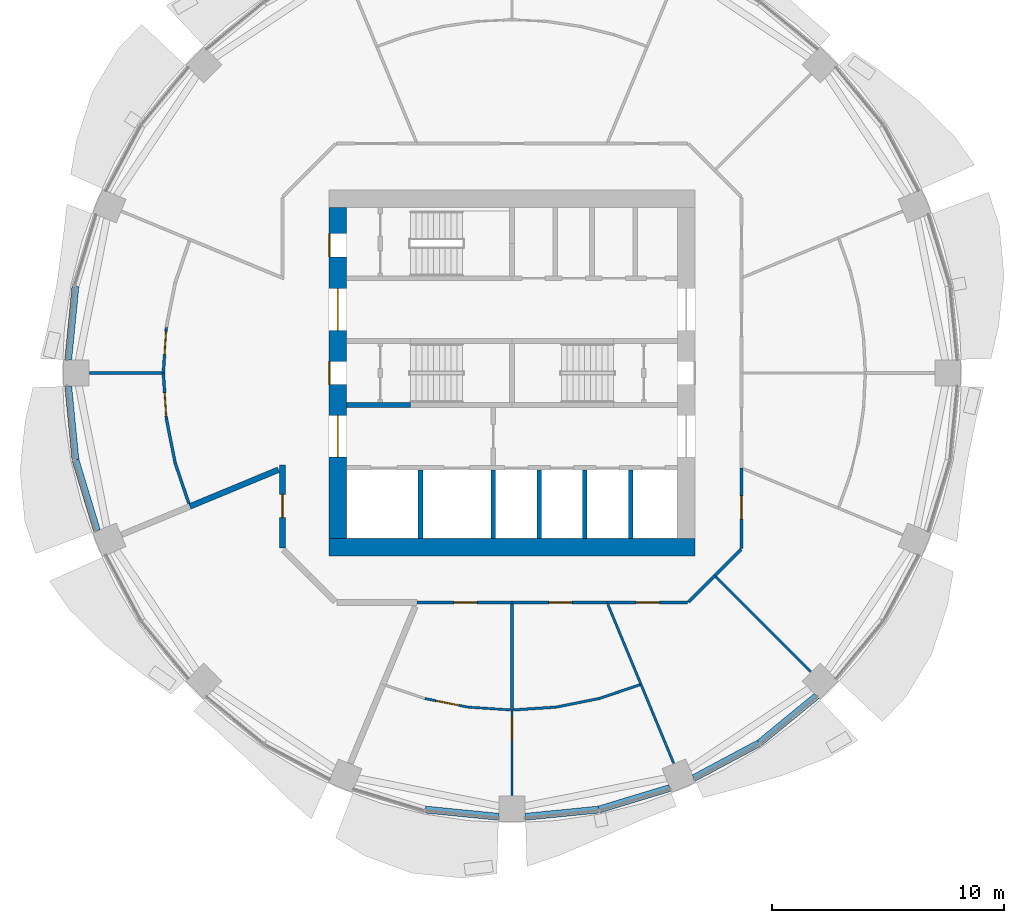
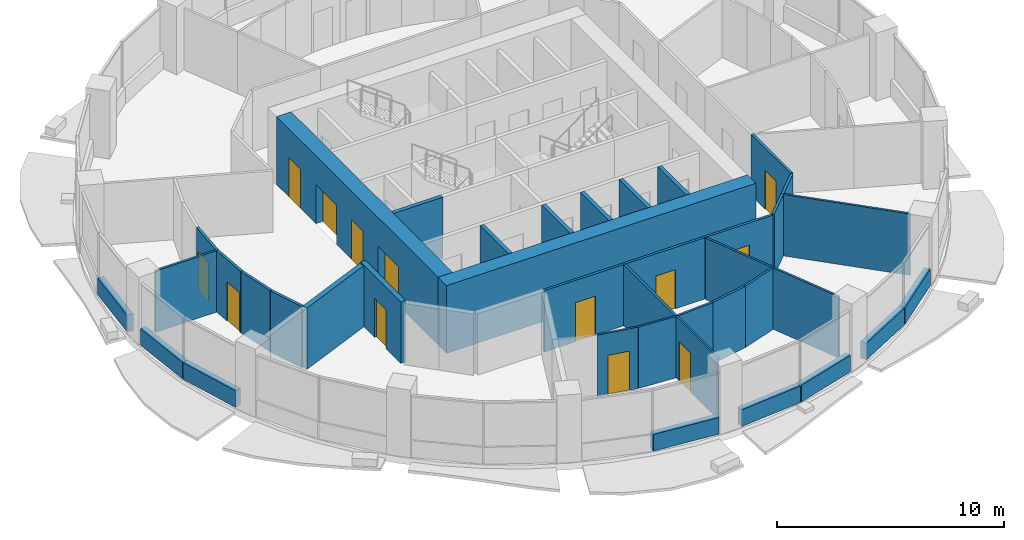
# One storey, part 8 of 15: 39 walls, 13 doors, 13 openings.
"""IFC4 building model written with IfcOpenShell, lengths in metres."""

import ifcopenshell
import ifcopenshell.guid

model = None  # the IFC model being written
_history = None  # IfcOwnerHistory: only IFC2X3 demands one
_inside = {}  # id of a spatial element -> (the spatial element, [elements in it])
_under = {}  # id of a project, library or spatial element -> (it, [spatial elements below it])
_declared = {}  # id of a project -> (the project, [libraries it declares])
_typed = {}  # id of a type object -> (the type object, [elements of that type])
_made_of = {}  # id of a material, layer set ... -> (it, [elements and type objects made of it])


def new_model(schema):
    """Start an empty IFC model of exactly this schema.

    Asked for "IFC4X3", IfcOpenShell would pick the latest addendum, in which some entities
    have other attributes; the version numbers below select the first issue.
    IFC2X3 requires an IfcOwnerHistory on every rooted entity: one is made here for all.
    """
    global model, _history
    if schema == "IFC4X3":
        model = ifcopenshell.file(schema_version=(4, 3, 0, 0))
    else:
        model = ifcopenshell.file(schema=schema)
    _inside.clear()
    _under.clear()
    _declared.clear()
    _typed.clear()
    _made_of.clear()
    _history = None
    if model.schema == "IFC2X3":
        org = make("IfcOrganization", Name="unknown")
        user = make(
            "IfcPersonAndOrganization",
            ThePerson=make("IfcPerson", FamilyName="unknown"),
            TheOrganization=org,
        )
        app = make(
            "IfcApplication",
            ApplicationDeveloper=org,
            Version="unknown",
            ApplicationFullName="unknown",
            ApplicationIdentifier="unknown",
        )
        _history = make(
            "IfcOwnerHistory",
            OwningUser=user,
            OwningApplication=app,
            ChangeAction="ADDED",
            CreationDate=0,
        )
    return model


def make(cls, **values):
    """One entity of the class cls with the attributes given. An attribute that is None is left unset."""
    return model.create_entity(
        cls, **{name: value for name, value in values.items() if value is not None}
    )


def rooted(cls, **values):
    """An entity with a GlobalId (a new one), such as an element, a storey or a relation."""
    return make(cls, GlobalId=ifcopenshell.guid.new(), OwnerHistory=_history, **values)


def si_unit(unit_type, name, prefix=None):
    """IfcSIUnit, for example si_unit("LENGTHUNIT", "METRE", prefix="MILLI")."""
    return make("IfcSIUnit", UnitType=unit_type, Prefix=prefix, Name=name)


def assignment(units):
    """IfcUnitAssignment: the units of a project."""
    return None if units is None else make("IfcUnitAssignment", Units=units)


def point(xyz):
    """IfcCartesianPoint."""
    return None if xyz is None else make("IfcCartesianPoint", Coordinates=xyz)


def direction(xyz):
    """IfcDirection."""
    return None if xyz is None else make("IfcDirection", DirectionRatios=xyz)


def frame(location, z_axis=None, x_axis=None):
    """IfcAxis2Placement3D, a coordinate frame: its origin and axes. An axis left out is left unset."""
    return make(
        "IfcAxis2Placement3D",
        Location=point(location),
        Axis=direction(z_axis),
        RefDirection=direction(x_axis),
    )


def frame_2d(location, x_axis=None):
    """IfcAxis2Placement2D, a coordinate frame in the plane: its origin and x axis."""
    return make(
        "IfcAxis2Placement2D", Location=point(location), RefDirection=direction(x_axis)
    )


def origin():
    """The frame at (0, 0, 0) with its axes left unset."""
    return frame((0.0, 0.0, 0.0))


def place(relative_to, where):
    """IfcLocalPlacement: puts the frame where relative to a parent placement (None: the world)."""
    return make(
        "IfcLocalPlacement", PlacementRelTo=relative_to, RelativePlacement=where
    )


def context(
    kind, dimensions, precision=None, world=None, true_north=None, identifier=None
):
    """IfcGeometricRepresentationContext, for example the 3D "Model" context."""
    return make(
        "IfcGeometricRepresentationContext",
        ContextIdentifier=identifier,
        ContextType=kind,
        CoordinateSpaceDimension=dimensions,
        Precision=precision,
        WorldCoordinateSystem=world,
        TrueNorth=true_north,
    )


def subcontext(parent, identifier, kind, view, scale=None):
    """IfcGeometricRepresentationSubContext, for example "Body" below "Model"."""
    return make(
        "IfcGeometricRepresentationSubContext",
        ContextIdentifier=identifier,
        ContextType=kind,
        ParentContext=parent,
        TargetScale=scale,
        TargetView=view,
    )


def project(units=None, contexts=None):
    """IfcProject with its units and contexts."""
    return rooted(
        "IfcProject",
        Name="project",
        RepresentationContexts=contexts,
        UnitsInContext=assignment(units),
    )


def spatial(cls, under=None, at=None, **own):
    """A site, building, storey or space (cls), placed at a placement, below another one or the project."""
    s = rooted(cls, ObjectPlacement=at, **own)
    if under is not None:
        _under.setdefault(under.id(), (under, []))[1].append(s)
    return s


def profile(cls, at=None, kind="AREA", **sizes):
    """A parametric profile (cls). Its sizes go by their IFC names, for example OverallWidth=200.0."""
    return make(cls, ProfileType=kind, Position=at, **sizes)


def rectangle(**sizes):
    """IfcRectangleProfileDef."""
    return profile("IfcRectangleProfileDef", **sizes)


def extrude(swept, where, along, depth):
    """IfcExtrudedAreaSolid: the profile swept, set in the frame where, extruded along a direction by depth."""
    return make(
        "IfcExtrudedAreaSolid",
        SweptArea=swept,
        Position=where,
        ExtrudedDirection=direction(along),
        Depth=depth,
    )


def shape(context_of_items, identifier, shape_type, items):
    """IfcShapeRepresentation: the items that make up one representation, for example the "Body"."""
    return make(
        "IfcShapeRepresentation",
        ContextOfItems=context_of_items,
        RepresentationIdentifier=identifier,
        RepresentationType=shape_type,
        Items=items,
    )


def material(Name=None, Category=None):
    """IfcMaterial."""
    return make("IfcMaterial", Name=Name, Category=Category)


def layer(
    of_material, thickness, ventilated=None, Name=None, Category=None, Priority=None
):
    """IfcMaterialLayer: one layer of a wall or slab, of a material (None: an air gap)."""
    return make(
        "IfcMaterialLayer",
        Material=of_material,
        LayerThickness=thickness,
        IsVentilated=ventilated,
        Name=Name,
        Category=Category,
        Priority=Priority,
    )


def layer_set(layers, Name=None):
    """IfcMaterialLayerSet."""
    return make("IfcMaterialLayerSet", MaterialLayers=layers, LayerSetName=Name)


def made_of(thing, what):
    """Note that an element or type object is made of a material, layer set ...; save() writes the relation."""
    if what is not None:
        _made_of.setdefault(what.id(), (what, []))[1].append(thing)
    return thing


def type_object(cls, material=None, **own):
    """A type object (cls), such as IfcWallType, which elements share."""
    return made_of(rooted(cls, **own), material)


def element(
    cls,
    number,
    at=None,
    inside=None,
    cuts=None,
    type_object=None,
    material=None,
    context=None,
    identifier="Body",
    shape_type=None,
    held_by="IfcProductDefinitionShape",
    body=None,
    shapes=None,
    **own,
):
    """One element of the class cls, such as IfcWall. Its Tag is "e" and its number.

    at: its placement. inside: the storey or other place that contains it. cuts: it is an
    opening in that element (IfcRelVoidsElement). A single representation is given by context,
    identifier, shape_type and body (its items); several are given by shapes. held_by: the class
    of the entity that holds the representations. save() writes the other relations.
    """
    e = rooted(cls, Tag="e%d" % number, ObjectPlacement=at, **own)
    if body is not None:
        shapes = [shape(context, identifier, shape_type, body)]
    if shapes is not None:
        e.Representation = make(held_by, Representations=shapes)
    if inside is not None:
        _inside.setdefault(inside.id(), (inside, []))[1].append(e)
    if cuts is not None:
        rooted(
            "IfcRelVoidsElement", RelatingBuildingElement=cuts, RelatedOpeningElement=e
        )
    if type_object is not None:
        _typed.setdefault(type_object.id(), (type_object, []))[1].append(e)
    return made_of(e, material)


def fill(opening, filler):
    """IfcRelFillsElement: the door or window that sits in an opening."""
    return rooted(
        "IfcRelFillsElement",
        RelatingOpeningElement=opening,
        RelatedBuildingElement=filler,
    )


def aggregate(whole, parts):
    """IfcRelAggregates: a whole, such as a stair, and the parts it consists of."""
    return rooted("IfcRelAggregates", RelatingObject=whole, RelatedObjects=parts)


def save(model, path):
    """Write the relations noted so far, then the file.

    IfcRelAggregates (storeys below a building ...), IfcRelContainedInSpatialStructure (elements
    in a storey), IfcRelDefinesByType, IfcRelAssociatesMaterial and IfcRelDeclares: one each for
    every whole, place, type object, material and project.
    """
    for whole, parts in _under.values():
        aggregate(whole, parts)
    for where, things in _inside.values():
        rooted(
            "IfcRelContainedInSpatialStructure",
            RelatedElements=things,
            RelatingStructure=where,
        )
    for kind, things in _typed.values():
        rooted("IfcRelDefinesByType", RelatedObjects=things, RelatingType=kind)
    for what, things in _made_of.values():
        rooted("IfcRelAssociatesMaterial", RelatedObjects=things, RelatingMaterial=what)
    for by, libraries in _declared.values():
        rooted("IfcRelDeclares", RelatingContext=by, RelatedDefinitions=libraries)
    model.write(path)


model = new_model("IFC4")

# Units and contexts
model_context = context("Model", 3, precision=1e-05, world=origin(), true_north=direction((0.0, 1.0)))
body_context = subcontext(model_context, "Body", "Model", "MODEL_VIEW")
ifc_project = project(units=[si_unit("LENGTHUNIT", "METRE"), si_unit("AREAUNIT", "SQUARE_METRE"), si_unit("VOLUMEUNIT", "CUBIC_METRE"), si_unit("PLANEANGLEUNIT", "RADIAN"), si_unit("MASSUNIT", "GRAM", prefix="KILO")], contexts=[model_context])

# Site, building, storey
site_placement = place(None, origin())
site = spatial("IfcSite", under=ifc_project, at=site_placement, CompositionType="ELEMENT")
building_placement = place(site_placement, origin())
building = spatial("IfcBuilding", under=site, at=building_placement, Name="Polderwave Tower", CompositionType="ELEMENT")
storey_placement = place(building_placement, frame((0.0, 0.0, 87.35009765625)))
storey = spatial("IfcBuildingStorey", under=building, at=storey_placement, Name="L22", CompositionType="ELEMENT", Elevation=87.35009765625)

# Wall
ifc_material_1 = material(Name="Concrete C70/85", Category="concrete")
ifc_layer_1 = layer(ifc_material_1, 0.75)
ifc_layer_set_1 = layer_set([ifc_layer_1], Name="CORE WALL 750 C70/85")
wall_type_1 = type_object("IfcWallType", Name="CORE WALL 750 C70/85", PredefinedType="SHEAR", material=ifc_layer_set_1)
wall_1_placement = place(storey_placement, frame((-7.8740234375, -7.4990234375, 0.0), z_axis=(0.0, 0.0, 1.0), x_axis=(1.0, 0.0, 0.0)))
element("IfcWall", 1, at=wall_1_placement, inside=storey, type_object=wall_type_1, Name="ST-CORE-L22-S", PredefinedType="SHEAR", context=body_context, shape_type="SweptSolid", body=[
    extrude(rectangle(XDim=15.748046875, YDim=0.75, at=frame_2d((7.8740234375, 0.0))), origin(), (0.0, 0.0, 1.0), 3.64990234375),
])

# Wall, openings, doors
wall_2_placement = place(storey_placement, frame((-7.4990234375, -7.1240234375, 0.0), z_axis=(0.0, 0.0, 1.0), x_axis=(0.0, 1.0, 0.0)))
wall_2 = element("IfcWall", 2, at=wall_2_placement, inside=storey, type_object=wall_type_1, Name="ST-CORE-L22-W", PredefinedType="SHEAR", context=body_context, shape_type="SweptSolid", body=[
    extrude(rectangle(XDim=14.248046875, YDim=0.75, at=frame_2d((7.1240234375, 0.0))), origin(), (0.0, 0.0, 1.0), 3.64990234375),
])
opening_1_placement = place(wall_2_placement, frame((6.6240234375, 0.0, 0.0)))
opening_1 = element("IfcOpeningElement", 3, at=opening_1_placement, cuts=wall_2, Name="Opening L22-D18", PredefinedType="OPENING", context=body_context, shape_type="SweptSolid", body=[
    extrude(rectangle(XDim=1.0, YDim=2.10009765625, at=frame_2d((0.5, 1.050048828125))), frame((0.0, 0.385009765625, 0.0), z_axis=(0.0, -1.0, 0.0), x_axis=(1.0, 0.0, 0.0)), (0.0, 0.0, 1.0), 0.77001953125),
])
opening_2_placement = place(wall_2_placement, frame((3.49951171875, 0.0, 0.0)))
opening_2 = element("IfcOpeningElement", 4, at=opening_2_placement, cuts=wall_2, Name="Opening L22-D19", PredefinedType="OPENING", context=body_context, shape_type="SweptSolid", body=[
    extrude(rectangle(XDim=1.800048828125, YDim=2.10009765625, at=frame_2d((0.89990234375, 1.050048828125))), frame((0.0, 0.385009765625, 0.0), z_axis=(0.0, -1.0, 0.0), x_axis=(1.0, 0.0, 0.0)), (0.0, 0.0, 1.0), 0.77001953125),
])
opening_3_placement = place(wall_2_placement, frame((8.948486328125, 0.0, 0.0)))
opening_3 = element("IfcOpeningElement", 5, at=opening_3_placement, cuts=wall_2, Name="Opening L22-D20", PredefinedType="OPENING", context=body_context, shape_type="SweptSolid", body=[
    extrude(rectangle(XDim=1.800048828125, YDim=2.10009765625, at=frame_2d((0.89990234375, 1.050048828125))), frame((0.0, 0.385009765625, 0.0), z_axis=(0.0, -1.0, 0.0), x_axis=(1.0, 0.0, 0.0)), (0.0, 0.0, 1.0), 0.77001953125),
])
opening_4_placement = place(wall_2_placement, frame((12.1240234375, 0.0, 0.0)))
opening_4 = element("IfcOpeningElement", 6, at=opening_4_placement, cuts=wall_2, Name="Opening L22-D21", PredefinedType="OPENING", context=body_context, shape_type="SweptSolid", body=[
    extrude(rectangle(XDim=1.0, YDim=2.10009765625, at=frame_2d((0.5, 1.050048828125))), frame((0.0, 0.385009765625, 0.0), z_axis=(0.0, -1.0, 0.0), x_axis=(1.0, 0.0, 0.0)), (0.0, 0.0, 1.0), 0.77001953125),
])
ifc_material_2 = material(Name="Steel fire door", Category="steel")
door_type_1 = type_object("IfcDoorType", Name="Lobby entry door pair 1800", OperationType="DOUBLE_DOOR_SINGLE_SWING", PredefinedType="DOOR", material=ifc_material_2)
door_1_placement = place(opening_2_placement, origin())
door_1 = element("IfcDoor", 7, at=door_1_placement, inside=storey, type_object=door_type_1, Name="Fire-fighting lobby entry door", OperationType="DOUBLE_DOOR_SINGLE_SWING", OverallHeight=2.10009765625, OverallWidth=1.800048828125, PredefinedType="DOOR", context=body_context, shape_type="SweptSolid", body=[
    extrude(rectangle(XDim=1.800048828125, YDim=2.10009765625, at=frame_2d((0.89990234375, 1.050048828125))), frame((0.0, 0.02490234375, 0.0), z_axis=(0.0, -1.0, 0.0), x_axis=(1.0, 0.0, 0.0)), (0.0, 0.0, 1.0), 0.050048828125),
])
fill(opening_2, door_1)
door_2_placement = place(opening_3_placement, origin())
door_2 = element("IfcDoor", 8, at=door_2_placement, inside=storey, type_object=door_type_1, Name="North lobby entry door", OperationType="DOUBLE_DOOR_SINGLE_SWING", OverallHeight=2.10009765625, OverallWidth=1.800048828125, PredefinedType="DOOR", context=body_context, shape_type="SweptSolid", body=[
    extrude(rectangle(XDim=1.800048828125, YDim=2.10009765625, at=frame_2d((0.89990234375, 1.050048828125))), frame((0.0, 0.02490234375, 0.0), z_axis=(0.0, -1.0, 0.0), x_axis=(1.0, 0.0, 0.0)), (0.0, 0.0, 1.0), 0.050048828125),
])
fill(opening_3, door_2)
door_type_2 = type_object("IfcDoorType", Name="Stair door 1000", OperationType="NOTDEFINED", PredefinedType="DOOR", material=ifc_material_2)
door_3_placement = place(opening_1_placement, origin())
door_3 = element("IfcDoor", 9, at=door_3_placement, inside=storey, type_object=door_type_2, Name="Stair A entry door", OperationType="SINGLE_SWING_RIGHT", OverallHeight=2.10009765625, OverallWidth=1.0, PredefinedType="DOOR", context=body_context, shape_type="SweptSolid", body=[
    extrude(rectangle(XDim=1.0, YDim=2.10009765625, at=frame_2d((0.5, 1.050048828125))), frame((0.0, 0.375, 0.0), z_axis=(0.0, -1.0, 0.0), x_axis=(1.0, 0.0, 0.0)), (0.0, 0.0, 1.0), 0.050048828125),
])
fill(opening_1, door_3)
door_4_placement = place(opening_4_placement, origin())
door_4 = element("IfcDoor", 10, at=door_4_placement, inside=storey, type_object=door_type_2, Name="Stair C entry door", OperationType="SINGLE_SWING_RIGHT", OverallHeight=2.10009765625, OverallWidth=1.0, PredefinedType="DOOR", context=body_context, shape_type="SweptSolid", body=[
    extrude(rectangle(XDim=1.0, YDim=2.10009765625, at=frame_2d((0.5, 1.050048828125))), frame((0.0, 0.375, 0.0), z_axis=(0.0, -1.0, 0.0), x_axis=(1.0, 0.0, 0.0)), (0.0, 0.0, 1.0), 0.050048828125),
])
fill(opening_4, door_4)

# Walls
ifc_material_3 = material(Name="Concrete C50/60 (board-marked)", Category="concrete")
ifc_layer_2 = layer(ifc_material_3, 0.300048828125)
ifc_layer_set_2 = layer_set([ifc_layer_2], Name="Concrete spandrel upstand C50/60")
wall_type_2 = type_object("IfcWallType", Name="Concrete spandrel upstand C50/60", PredefinedType="SOLIDWALL", material=ifc_layer_set_2)
for number, where, z_axis, x_axis, name in (
    (11, (-18.783447265625, 3.72119140625, 0.0), (0.0, 0.0, 1.0), (-0.098040704044, -0.995182405567, 0.0), "Spandrel L22 8b"),
    (12, (-19.094482421875, -0.56396484375, 0.0), (0.0, 0.0, 1.0), (0.098040704044, -0.995182405567, 0.0), "Spandrel L22 9a"),
):
    element("IfcWall", number, at=place(storey_placement, frame(where, z_axis=z_axis, x_axis=x_axis)), inside=storey, type_object=wall_type_2, Name=name, PredefinedType="SOLIDWALL", context=body_context, shape_type="SweptSolid", body=[
        extrude(rectangle(XDim=3.172607421875, YDim=0.300048828125, at=frame_2d((1.58642578125, 0.0))), origin(), (0.0, 0.0, 1.0), 0.89990234375),
    ])
wall_3_placement = place(storey_placement, frame((-18.777587890625, -3.75048828125, 0.0), z_axis=(0.0, 0.0, 1.0), x_axis=(0.290325591482, -0.956927923582, 0.0)))
element("IfcWall", 13, at=wall_3_placement, inside=storey, type_object=wall_type_2, Name="Spandrel L22 9b", PredefinedType="SOLIDWALL", context=body_context, shape_type="SweptSolid", body=[
    extrude(rectangle(XDim=3.1728515625, YDim=0.300048828125, at=frame_2d((1.58642578125, 0.0))), origin(), (0.0, 0.0, 1.0), 0.89990234375),
])
for number, where, z_axis, x_axis, name in (
    (14, (-3.72119140625, -18.783447265625, 0.0), (0.0, 0.0, 1.0), (0.995182405567, -0.098040704044, 0.0), "Spandrel L22 12b"),
    (15, (0.56396484375, -19.094482421875, 0.0), (0.0, 0.0, 1.0), (0.995182405567, 0.098040704044, 0.0), "Spandrel L22 13a"),
):
    element("IfcWall", number, at=place(storey_placement, frame(where, z_axis=z_axis, x_axis=x_axis)), inside=storey, type_object=wall_type_2, Name=name, PredefinedType="SOLIDWALL", context=body_context, shape_type="SweptSolid", body=[
        extrude(rectangle(XDim=3.172607421875, YDim=0.300048828125, at=frame_2d((1.58642578125, 0.0))), origin(), (0.0, 0.0, 1.0), 0.89990234375),
    ])
wall_4_placement = place(storey_placement, frame((3.75048828125, -18.777587890625, 0.0), z_axis=(0.0, 0.0, 1.0), x_axis=(0.956927923582, 0.290325591482, 0.0)))
element("IfcWall", 16, at=wall_4_placement, inside=storey, type_object=wall_type_2, Name="Spandrel L22 13b", PredefinedType="SOLIDWALL", context=body_context, shape_type="SweptSolid", body=[
    extrude(rectangle(XDim=3.1728515625, YDim=0.300048828125, at=frame_2d((1.58642578125, 0.0))), origin(), (0.0, 0.0, 1.0), 0.89990234375),
])
wall_5_placement = place(storey_placement, frame((7.828125, -17.4248046875, 0.0), z_axis=(0.0, 0.0, 1.0), x_axis=(0.88188808669, 0.471458802606, 0.0)))
element("IfcWall", 17, at=wall_5_placement, inside=storey, type_object=wall_type_2, Name="Spandrel L22 14a", PredefinedType="SOLIDWALL", context=body_context, shape_type="SweptSolid", body=[
    extrude(rectangle(XDim=3.17236328125, YDim=0.300048828125, at=frame_2d((1.586181640625, 0.0))), origin(), (0.0, 0.0, 1.0), 0.89990234375),
])
wall_6_placement = place(storey_placement, frame((10.650634765625, -15.91259765625, 0.0), z_axis=(0.0, 0.0, 1.0), x_axis=(0.773137226182, 0.634238779555, 0.0)))
element("IfcWall", 18, at=wall_6_placement, inside=storey, type_object=wall_type_2, Name="Spandrel L22 14b", PredefinedType="SOLIDWALL", context=body_context, shape_type="SweptSolid", body=[
    extrude(rectangle(XDim=3.172607421875, YDim=0.300048828125, at=frame_2d((1.58642578125, 0.0))), origin(), (0.0, 0.0, 1.0), 0.89990234375),
])
ifc_material_4 = material(Name="Concrete C50/60", Category="concrete")
ifc_layer_3 = layer(ifc_material_4, 0.199951171875)
ifc_layer_set_3 = layer_set([ifc_layer_3], Name="Core web wall 200")
wall_type_3 = type_object("IfcWallType", Name="Core web wall 200", PredefinedType="SHEAR", material=ifc_layer_set_3)
wall_7_placement = place(storey_placement, frame((-7.1240234375, -1.375, 0.0), z_axis=(0.0, 0.0, 1.0), x_axis=(1.0, 0.0, 0.0)))
element("IfcWall", 19, at=wall_7_placement, inside=storey, type_object=wall_type_3, Name="L22 south stair wall 1", PredefinedType="SHEAR", context=body_context, shape_type="SweptSolid", body=[
    extrude(rectangle(XDim=2.75, YDim=0.199951171875, at=frame_2d((1.375, 0.0))), origin(), (0.0, 0.0, 1.0), 3.2998046875),
])
ifc_material_5 = material(Name="Fire-resisting board on steel studs", Category="steel")
ifc_layer_4 = layer(ifc_material_5, 0.125)
ifc_layer_set_4 = layer_set([ifc_layer_4], Name="Corridor wall 125 mm EI 60")
wall_type_4 = type_object("IfcWallType", Name="Corridor wall 125 mm EI 60", PredefinedType="PARTITIONING", material=ifc_layer_set_4)
wall_8_placement = place(storey_placement, frame((9.855712890625, -7.58935546875, 0.0), z_axis=(0.0, 0.0, 1.0), x_axis=(-0.70718294931, -0.707030604857, 0.0)))
element("IfcWall", 20, at=wall_8_placement, inside=storey, type_object=wall_type_4, Name="IN-L22-W004", PredefinedType="PARTITIONING", context=body_context, shape_type="SweptSolid", body=[
    extrude(rectangle(XDim=1.6025390625, YDim=0.125, at=frame_2d((0.80126953125, 0.0))), origin(), (0.0, 0.0, 1.0), 3.2998046875),
])

# Wall, opening, door
wall_9_placement = place(storey_placement, frame((9.8740234375, -4.08984375, 0.0), z_axis=(0.0, 0.0, 1.0), x_axis=(0.0, -1.0, 0.0)))
wall_9 = element("IfcWall", 21, at=wall_9_placement, inside=storey, type_object=wall_type_4, Name="IN-L22-W005", PredefinedType="PARTITIONING", context=body_context, shape_type="SweptSolid", body=[
    extrude(rectangle(XDim=3.455322265625, YDim=0.125, at=frame_2d((1.7275390625, 0.0))), origin(), (0.0, 0.0, 1.0), 3.2998046875),
])
opening_5_placement = place(wall_9_placement, frame((1.199951171875, 0.0, 0.0)))
opening_5 = element("IfcOpeningElement", 22, at=opening_5_placement, cuts=wall_9, Name="Opening L22-D52", PredefinedType="OPENING", context=body_context, shape_type="SweptSolid", body=[
    extrude(rectangle(XDim=1.0, YDim=2.10009765625, at=frame_2d((0.5, 1.050048828125))), frame((0.0, 0.072509765625, 0.0), z_axis=(0.0, -1.0, 0.0), x_axis=(1.0, 0.0, 0.0)), (0.0, 0.0, 1.0), 0.14501953125),
])
ifc_material_6 = material(Name="Timber fire door leaf", Category="wood")
door_type_3 = type_object("IfcDoorType", Name="Fire door FD30S 1000 x 2100", OperationType="NOTDEFINED", PredefinedType="DOOR", material=ifc_material_6)
door_5_placement = place(opening_5_placement, origin())
door_5 = element("IfcDoor", 23, at=door_5_placement, inside=storey, type_object=door_type_3, Name="Door L22-D52", OperationType="SINGLE_SWING_LEFT", OverallHeight=2.10009765625, OverallWidth=1.0, PredefinedType="DOOR", context=body_context, shape_type="SweptSolid", body=[
    extrude(rectangle(XDim=1.0, YDim=2.10009765625, at=frame_2d((0.5, 1.050048828125))), frame((0.0, 0.02490234375, 0.0), z_axis=(0.0, -1.0, 0.0), x_axis=(1.0, 0.0, 0.0)), (0.0, 0.0, 1.0), 0.050048828125),
])
fill(opening_5, door_5)

wall_10_placement = place(storey_placement, frame((0.0, -9.8740234375, 0.0), z_axis=(0.0, 0.0, 1.0), x_axis=(-1.0, 0.0, 0.0)))
wall_10 = element("IfcWall", 24, at=wall_10_placement, inside=storey, type_object=wall_type_4, Name="IN-L22-W018", PredefinedType="PARTITIONING", context=body_context, shape_type="SweptSolid", body=[
    extrude(rectangle(XDim=4.08984375, YDim=0.125, at=frame_2d((2.044921875, 0.0))), origin(), (0.0, 0.0, 1.0), 3.2998046875),
])
opening_6_placement = place(wall_10_placement, frame((1.5, 0.0, 0.0)))
opening_6 = element("IfcOpeningElement", 25, at=opening_6_placement, cuts=wall_10, Name="Opening L22-D58", PredefinedType="OPENING", context=body_context, shape_type="SweptSolid", body=[
    extrude(rectangle(XDim=1.0, YDim=2.10009765625, at=frame_2d((0.5, 1.050048828125))), frame((0.0, 0.072509765625, 0.0), z_axis=(0.0, -1.0, 0.0), x_axis=(1.0, 0.0, 0.0)), (0.0, 0.0, 1.0), 0.14501953125),
])
door_6_placement = place(opening_6_placement, origin())
door_6 = element("IfcDoor", 26, at=door_6_placement, inside=storey, type_object=door_type_3, Name="Door L22-D58", OperationType="SINGLE_SWING_LEFT", OverallHeight=2.10009765625, OverallWidth=1.0, PredefinedType="DOOR", context=body_context, shape_type="SweptSolid", body=[
    extrude(rectangle(XDim=1.0, YDim=2.10009765625, at=frame_2d((0.5, 1.050048828125))), frame((0.0, 0.02490234375, 0.0), z_axis=(0.0, -1.0, 0.0), x_axis=(1.0, 0.0, 0.0)), (0.0, 0.0, 1.0), 0.050048828125),
])
fill(opening_6, door_6)

wall_11_placement = place(storey_placement, frame((4.08984375, -9.8740234375, 0.0), z_axis=(0.0, 0.0, 1.0), x_axis=(-1.0, 0.0, 0.0)))
wall_11 = element("IfcWall", 27, at=wall_11_placement, inside=storey, type_object=wall_type_4, Name="IN-L22-W019", PredefinedType="PARTITIONING", context=body_context, shape_type="SweptSolid", body=[
    extrude(rectangle(XDim=4.08984375, YDim=0.125, at=frame_2d((2.044921875, 0.0))), origin(), (0.0, 0.0, 1.0), 3.2998046875),
])
opening_7_placement = place(wall_11_placement, frame((1.5, 0.0, 0.0)))
opening_7 = element("IfcOpeningElement", 28, at=opening_7_placement, cuts=wall_11, Name="Opening L22-D59", PredefinedType="OPENING", context=body_context, shape_type="SweptSolid", body=[
    extrude(rectangle(XDim=1.0, YDim=2.10009765625, at=frame_2d((0.5, 1.050048828125))), frame((0.0, 0.072509765625, 0.0), z_axis=(0.0, -1.0, 0.0), x_axis=(1.0, 0.0, 0.0)), (0.0, 0.0, 1.0), 0.14501953125),
])
door_7_placement = place(opening_7_placement, origin())
door_7 = element("IfcDoor", 29, at=door_7_placement, inside=storey, type_object=door_type_3, Name="Door L22-D59", OperationType="SINGLE_SWING_LEFT", OverallHeight=2.10009765625, OverallWidth=1.0, PredefinedType="DOOR", context=body_context, shape_type="SweptSolid", body=[
    extrude(rectangle(XDim=1.0, YDim=2.10009765625, at=frame_2d((0.5, 1.050048828125))), frame((0.0, 0.02490234375, 0.0), z_axis=(0.0, -1.0, 0.0), x_axis=(1.0, 0.0, 0.0)), (0.0, 0.0, 1.0), 0.050048828125),
])
fill(opening_7, door_7)

wall_12_placement = place(storey_placement, frame((7.545166015625, -9.8740234375, 0.0), z_axis=(0.0, 0.0, 1.0), x_axis=(-1.0, 0.0, 0.0)))
wall_12 = element("IfcWall", 30, at=wall_12_placement, inside=storey, type_object=wall_type_4, Name="IN-L22-W020", PredefinedType="PARTITIONING", context=body_context, shape_type="SweptSolid", body=[
    extrude(rectangle(XDim=3.455322265625, YDim=0.125, at=frame_2d((1.7275390625, 0.0))), origin(), (0.0, 0.0, 1.0), 3.2998046875),
])
opening_8_placement = place(wall_12_placement, frame((1.199951171875, 0.0, 0.0)))
opening_8 = element("IfcOpeningElement", 31, at=opening_8_placement, cuts=wall_12, Name="Opening L22-D60", PredefinedType="OPENING", context=body_context, shape_type="SweptSolid", body=[
    extrude(rectangle(XDim=1.0, YDim=2.10009765625, at=frame_2d((0.5, 1.050048828125))), frame((0.0, 0.072509765625, 0.0), z_axis=(0.0, -1.0, 0.0), x_axis=(1.0, 0.0, 0.0)), (0.0, 0.0, 1.0), 0.14501953125),
])
door_8_placement = place(opening_8_placement, origin())
door_8 = element("IfcDoor", 32, at=door_8_placement, inside=storey, type_object=door_type_3, Name="Door L22-D60", OperationType="SINGLE_SWING_LEFT", OverallHeight=2.10009765625, OverallWidth=1.0, PredefinedType="DOOR", context=body_context, shape_type="SweptSolid", body=[
    extrude(rectangle(XDim=1.0, YDim=2.10009765625, at=frame_2d((0.5, 1.050048828125))), frame((0.0, 0.02490234375, 0.0), z_axis=(0.0, -1.0, 0.0), x_axis=(1.0, 0.0, 0.0)), (0.0, 0.0, 1.0), 0.050048828125),
])
fill(opening_8, door_8)

# Wall
wall_13_placement = place(storey_placement, frame((8.722412109375, -8.722412109375, 0.0), z_axis=(0.0, 0.0, 1.0), x_axis=(-0.707030604857, -0.70718294931, 0.0)))
element("IfcWall", 33, at=wall_13_placement, inside=storey, type_object=wall_type_4, Name="IN-L22-W021", PredefinedType="PARTITIONING", context=body_context, shape_type="SweptSolid", body=[
    extrude(rectangle(XDim=1.6025390625, YDim=0.125, at=frame_2d((0.80126953125, 0.0))), origin(), (0.0, 0.0, 1.0), 3.2998046875),
])

# Wall, opening, door
wall_14_placement = place(storey_placement, frame((-15.0, 0.0, 0.0), z_axis=(0.0, 0.0, 1.0), x_axis=(0.065335548621, 0.997863350407, 0.0)))
wall_14 = element("IfcWall", 34, at=wall_14_placement, inside=storey, type_object=wall_type_4, Name="IN-L22-W046", PredefinedType="PARTITIONING", context=body_context, shape_type="SweptSolid", body=[
    extrude(rectangle(XDim=1.9580078125, YDim=0.125, at=frame_2d((0.97900390625, 0.0))), origin(), (0.0, 0.0, 1.0), 3.2998046875),
])
opening_9_placement = place(wall_14_placement, frame((0.800048828125, 0.0, 0.0)))
opening_9 = element("IfcOpeningElement", 35, at=opening_9_placement, cuts=wall_14, Name="Opening L22-D64", PredefinedType="OPENING", context=body_context, shape_type="SweptSolid", body=[
    extrude(rectangle(XDim=1.0, YDim=2.10009765625, at=frame_2d((0.5, 1.050048828125))), frame((0.0, 0.072509765625, 0.0), z_axis=(0.0, -1.0, 0.0), x_axis=(1.0, 0.0, 0.0)), (0.0, 0.0, 1.0), 0.14501953125),
])
door_9_placement = place(opening_9_placement, origin())
door_9 = element("IfcDoor", 36, at=door_9_placement, inside=storey, type_object=door_type_3, Name="Door L22-D64", OperationType="SINGLE_SWING_RIGHT", OverallHeight=2.10009765625, OverallWidth=1.0, PredefinedType="DOOR", context=body_context, shape_type="SweptSolid", body=[
    extrude(rectangle(XDim=1.0, YDim=2.10009765625, at=frame_2d((0.5, 1.050048828125))), frame((0.0, 0.02490234375, 0.0), z_axis=(0.0, -1.0, 0.0), x_axis=(1.0, 0.0, 0.0)), (0.0, 0.0, 1.0), 0.050048828125),
])
fill(opening_9, door_9)

wall_15_placement = place(storey_placement, frame((-14.8720703125, -1.953857421875, 0.0), z_axis=(0.0, 0.0, 1.0), x_axis=(-0.065335548621, 0.997863350407, 0.0)))
wall_15 = element("IfcWall", 37, at=wall_15_placement, inside=storey, type_object=wall_type_4, Name="IN-L22-W049", PredefinedType="PARTITIONING", context=body_context, shape_type="SweptSolid", body=[
    extrude(rectangle(XDim=1.9580078125, YDim=0.125, at=frame_2d((0.97900390625, 0.0))), origin(), (0.0, 0.0, 1.0), 3.2998046875),
])
opening_10_placement = place(wall_15_placement, frame((0.10009765625, 0.0, 0.0)))
opening_10 = element("IfcOpeningElement", 38, at=opening_10_placement, cuts=wall_15, Name="Opening L22-D65", PredefinedType="OPENING", context=body_context, shape_type="SweptSolid", body=[
    extrude(rectangle(XDim=1.0, YDim=2.10009765625, at=frame_2d((0.5, 1.050048828125))), frame((0.0, 0.072509765625, 0.0), z_axis=(0.0, -1.0, 0.0), x_axis=(1.0, 0.0, 0.0)), (0.0, 0.0, 1.0), 0.14501953125),
])
door_10_placement = place(opening_10_placement, origin())
door_10 = element("IfcDoor", 39, at=door_10_placement, inside=storey, type_object=door_type_3, Name="Door L22-D65", OperationType="SINGLE_SWING_LEFT", OverallHeight=2.10009765625, OverallWidth=1.0, PredefinedType="DOOR", context=body_context, shape_type="SweptSolid", body=[
    extrude(rectangle(XDim=1.0, YDim=2.10009765625, at=frame_2d((0.5, 1.050048828125))), frame((0.0, 0.02490234375, 0.0), z_axis=(0.0, -1.0, 0.0), x_axis=(1.0, 0.0, 0.0)), (0.0, 0.0, 1.0), 0.050048828125),
])
fill(opening_10, door_10)

# Walls
wall_16_placement = place(storey_placement, frame((-14.48974609375, -3.87841796875, 0.0), z_axis=(0.0, 0.0, 1.0), x_axis=(-0.195034785279, 0.980796325713, 0.0)))
element("IfcWall", 40, at=wall_16_placement, inside=storey, type_object=wall_type_4, Name="IN-L22-W050", PredefinedType="PARTITIONING", context=body_context, shape_type="SweptSolid", body=[
    extrude(rectangle(XDim=1.9541015625, YDim=0.125, at=frame_2d((0.97705078125, 0.0))), origin(), (0.0, 0.0, 1.0), 3.2998046875),
])
wall_17_placement = place(storey_placement, frame((-13.89990234375, -5.61767578125, 0.0), z_axis=(0.0, 0.0, 1.0), x_axis=(-0.321390424162, 0.946946775303, 0.0)))
element("IfcWall", 41, at=wall_17_placement, inside=storey, type_object=wall_type_4, Name="IN-L22-W051", PredefinedType="PARTITIONING", context=body_context, shape_type="SweptSolid", body=[
    extrude(rectangle(XDim=1.828369140625, YDim=0.125, at=frame_2d((0.9140625, 0.0))), origin(), (0.0, 0.0, 1.0), 3.2998046875),
])

# Wall, opening, door
ifc_material_7 = material(Name="Plasterboard on steel studs", Category="steel")
ifc_layer_5 = layer(ifc_material_7, 0.10009765625)
ifc_layer_set_5 = layer_set([ifc_layer_5], Name="Partition 100 mm plasterboard on steel studs")
wall_type_5 = type_object("IfcWallType", Name="Partition 100 mm plasterboard on steel studs", PredefinedType="PARTITIONING", material=ifc_layer_set_5)
wall_18_placement = place(storey_placement, frame((-1.895751953125, -14.37548828125, 0.0), z_axis=(0.0, 0.0, 1.0), x_axis=(-0.980773924018, 0.19514740574, 0.0)))
wall_18 = element("IfcWall", 42, at=wall_18_placement, inside=storey, type_object=wall_type_5, Name="IN-L22-W058", PredefinedType="PARTITIONING", context=body_context, shape_type="SweptSolid", body=[
    extrude(rectangle(XDim=1.890380859375, YDim=0.10009765625, at=frame_2d((0.9453125, 0.0))), origin(), (0.0, 0.0, 1.0), 3.2998046875),
])
opening_11_placement = place(wall_18_placement, frame((0.39990234375, 0.0, 0.0)))
opening_11 = element("IfcOpeningElement", 43, at=opening_11_placement, cuts=wall_18, Name="Opening L22-D66", PredefinedType="OPENING", context=body_context, shape_type="SweptSolid", body=[
    extrude(rectangle(XDim=1.0, YDim=2.10009765625, at=frame_2d((0.5, 1.050048828125))), frame((0.0, 0.06005859375, 0.0), z_axis=(0.0, -1.0, 0.0), x_axis=(1.0, 0.0, 0.0)), (0.0, 0.0, 1.0), 0.1201171875),
])
ifc_material_8 = material(Name="Timber veneer door leaf", Category="wood")
door_type_4 = type_object("IfcDoorType", Name="Single door 1000 x 2100", OperationType="NOTDEFINED", PredefinedType="DOOR", material=ifc_material_8)
door_11_placement = place(opening_11_placement, origin())
door_11 = element("IfcDoor", 44, at=door_11_placement, inside=storey, type_object=door_type_4, Name="Door L22-D66", OperationType="SINGLE_SWING_LEFT", OverallHeight=2.10009765625, OverallWidth=1.0, PredefinedType="DOOR", context=body_context, shape_type="SweptSolid", body=[
    extrude(rectangle(XDim=1.0, YDim=2.10009765625, at=frame_2d((0.5, 1.050048828125))), frame((0.0, 0.02490234375, 0.0), z_axis=(0.0, -1.0, 0.0), x_axis=(1.0, 0.0, 0.0)), (0.0, 0.0, 1.0), 0.050048828125),
])
fill(opening_11, door_11)

# Wall
wall_19_placement = place(storey_placement, frame((-0.058349609375, -14.49609375, 0.0), z_axis=(0.0, 0.0, 1.0), x_axis=(-0.99786392157, 0.065326824732, 0.0)))
element("IfcWall", 45, at=wall_19_placement, inside=storey, type_object=wall_type_5, Name="IN-L22-W059", PredefinedType="PARTITIONING", context=body_context, shape_type="SweptSolid", body=[
    extrude(rectangle(XDim=1.8349609375, YDim=0.10009765625, at=frame_2d((0.91748046875, 0.0))), origin(), (0.0, 0.0, 1.0), 3.2998046875),
])

# Wall, opening, door
wall_20_placement = place(storey_placement, frame((0.0, -14.5, 0.0), z_axis=(0.0, 0.0, 1.0), x_axis=(0.0, -1.0, 0.0)))
wall_20 = element("IfcWall", 46, at=wall_20_placement, inside=storey, type_object=wall_type_5, Name="IN-L22-W061", PredefinedType="PARTITIONING", context=body_context, shape_type="SweptSolid", body=[
    extrude(rectangle(XDim=3.669921875, YDim=0.10009765625, at=frame_2d((1.8349609375, 0.0))), origin(), (0.0, 0.0, 1.0), 3.2998046875),
])
opening_12_placement = place(wall_20_placement, frame((0.300048828125, 0.0, 0.0)))
opening_12 = element("IfcOpeningElement", 47, at=opening_12_placement, cuts=wall_20, Name="Opening L22-D67", PredefinedType="OPENING", context=body_context, shape_type="SweptSolid", body=[
    extrude(rectangle(XDim=1.0, YDim=2.10009765625, at=frame_2d((0.5, 1.050048828125))), frame((0.0, 0.06005859375, 0.0), z_axis=(0.0, -1.0, 0.0), x_axis=(1.0, 0.0, 0.0)), (0.0, 0.0, 1.0), 0.1201171875),
])
door_12_placement = place(opening_12_placement, origin())
door_12 = element("IfcDoor", 48, at=door_12_placement, inside=storey, type_object=door_type_4, Name="Door L22-D67", OperationType="SINGLE_SWING_LEFT", OverallHeight=2.10009765625, OverallWidth=1.0, PredefinedType="DOOR", context=body_context, shape_type="SweptSolid", body=[
    extrude(rectangle(XDim=1.0, YDim=2.10009765625, at=frame_2d((0.5, 1.050048828125))), frame((0.0, 0.02490234375, 0.0), z_axis=(0.0, -1.0, 0.0), x_axis=(1.0, 0.0, 0.0)), (0.0, 0.0, 1.0), 0.050048828125),
])
fill(opening_12, door_12)

# Walls
ifc_material_9 = material(Name="Moisture-resistant board on steel studs, tiled", Category="steel")
ifc_layer_6 = layer(ifc_material_9, 0.10498046875)
ifc_layer_set_6 = layer_set([ifc_layer_6], Name="Partition 105 mm wet room board and tile")
wall_type_6 = type_object("IfcWallType", Name="Partition 105 mm wet room board and tile", PredefinedType="PARTITIONING", material=ifc_layer_set_6)
wall_21_placement = place(storey_placement, frame((4.1240234375, -9.95654296875, 0.0), z_axis=(0.0, 0.0, 1.0), x_axis=(0.382691554869, -0.923876168018, 0.0)))
element("IfcWall", 49, at=wall_21_placement, inside=storey, type_object=wall_type_6, Name="IN-L22-W065", PredefinedType="PARTITIONING", context=body_context, shape_type="SweptSolid", body=[
    extrude(rectangle(XDim=3.72314453125, YDim=0.10498046875, at=frame_2d((1.861572265625, 0.0))), origin(), (0.0, 0.0, 1.0), 3.2998046875),
])
wall_22_placement = place(storey_placement, frame((5.548828125, -13.396240234375, 0.0), z_axis=(0.0, 0.0, 1.0), x_axis=(0.382706260748, -0.923870076355, 0.0)))
element("IfcWall", 50, at=wall_22_placement, inside=storey, type_object=wall_type_6, Name="IN-L22-W066", PredefinedType="PARTITIONING", context=body_context, shape_type="SweptSolid", body=[
    extrude(rectangle(XDim=3.669921875, YDim=0.10498046875, at=frame_2d((1.8349609375, 0.0))), origin(), (0.0, 0.0, 1.0), 3.2998046875),
])
wall_23_placement = place(storey_placement, frame((8.7666015625, -8.7666015625, 0.0), z_axis=(0.0, 0.0, 1.0), x_axis=(0.707106781187, -0.707106781187, 0.0)))
element("IfcWall", 51, at=wall_23_placement, inside=storey, type_object=wall_type_6, Name="IN-L22-W067", PredefinedType="PARTITIONING", context=body_context, shape_type="SweptSolid", body=[
    extrude(rectangle(XDim=5.772216796875, YDim=0.10498046875, at=frame_2d((2.88623046875, 0.0))), origin(), (0.0, 0.0, 1.0), 3.2998046875),
])
ifc_material_10 = material(Name="Acoustic double plasterboard on steel studs", Category="steel")
ifc_layer_7 = layer(ifc_material_10, 0.110107421875)
ifc_layer_set_7 = layer_set([ifc_layer_7], Name="Partition 110 mm acoustic double board")
wall_type_7 = type_object("IfcWallType", Name="Partition 110 mm acoustic double board", PredefinedType="PARTITIONING", material=ifc_layer_set_7)
wall_24_placement = place(storey_placement, frame((-15.066162109375, 0.0, 0.0), z_axis=(0.0, 0.0, 1.0), x_axis=(-1.0, 0.0, 0.0)))
element("IfcWall", 52, at=wall_24_placement, inside=storey, type_object=wall_type_7, Name="IN-L22-W053", PredefinedType="PARTITIONING", context=body_context, shape_type="SweptSolid", body=[
    extrude(rectangle(XDim=3.103759765625, YDim=0.110107421875, at=frame_2d((1.5517578125, 0.0))), origin(), (0.0, 0.0, 1.0), 3.2998046875),
])
wall_25_placement = place(storey_placement, frame((0.0, -9.9365234375, 0.0), z_axis=(0.0, 0.0, 1.0), x_axis=(0.0, -1.0, 0.0)))
element("IfcWall", 53, at=wall_25_placement, inside=storey, type_object=wall_type_7, Name="IN-L22-W060", PredefinedType="PARTITIONING", context=body_context, shape_type="SweptSolid", body=[
    extrude(rectangle(XDim=4.5634765625, YDim=0.110107421875, at=frame_2d((2.28173828125, 0.0))), origin(), (0.0, 0.0, 1.0), 3.2998046875),
])
wall_26_placement = place(storey_placement, frame((1.888916015625, -14.376220703125, 0.0), z_axis=(0.0, 0.0, 1.0), x_axis=(-0.99786221716, -0.065352854292, 0.0)))
element("IfcWall", 54, at=wall_26_placement, inside=storey, type_object=wall_type_7, Name="IN-L22-W062", PredefinedType="PARTITIONING", context=body_context, shape_type="SweptSolid", body=[
    extrude(rectangle(XDim=1.834228515625, YDim=0.110107421875, at=frame_2d((0.9169921875, 0.0))), origin(), (0.0, 0.0, 1.0), 3.2998046875),
])
wall_27_placement = place(storey_placement, frame((3.74951171875, -14.006591796875, 0.0), z_axis=(0.0, 0.0, 1.0), x_axis=(-0.980788807459, -0.195072589471, 0.0)))
element("IfcWall", 55, at=wall_27_placement, inside=storey, type_object=wall_type_7, Name="IN-L22-W063", PredefinedType="PARTITIONING", context=body_context, shape_type="SweptSolid", body=[
    extrude(rectangle(XDim=1.889892578125, YDim=0.110107421875, at=frame_2d((0.94482421875, 0.0))), origin(), (0.0, 0.0, 1.0), 3.2998046875),
])
wall_28_placement = place(storey_placement, frame((5.49560546875, -13.414306640625, 0.0), z_axis=(0.0, 0.0, 1.0), x_axis=(-0.946941139485, -0.321407029095, 0.0)))
element("IfcWall", 56, at=wall_28_placement, inside=storey, type_object=wall_type_7, Name="IN-L22-W064", PredefinedType="PARTITIONING", context=body_context, shape_type="SweptSolid", body=[
    extrude(rectangle(XDim=1.836669921875, YDim=0.110107421875, at=frame_2d((0.91845703125, 0.0))), origin(), (0.0, 0.0, 1.0), 3.2998046875),
])

# Wall, opening, door
ifc_material_11 = material(Name="Fire-resisting board on steel studs, mineral wool", Category="steel")
ifc_layer_8 = layer(ifc_material_11, 0.25)
ifc_layer_set_8 = layer_set([ifc_layer_8], Name="Plant room wall 250 mm EI 120")
wall_type_8 = type_object("IfcWallType", Name="Plant room wall 250 mm EI 120", PredefinedType="PARTITIONING", material=ifc_layer_set_8)
wall_29_placement = place(storey_placement, frame((-9.8740234375, -7.519287109375, 0.0), z_axis=(0.0, 0.0, 1.0), x_axis=(0.0, 1.0, 0.0)))
wall_29 = element("IfcWall", 57, at=wall_29_placement, inside=storey, type_object=wall_type_8, Name="IN-L22-W014", PredefinedType="PARTITIONING", context=body_context, shape_type="SweptSolid", body=[
    extrude(rectangle(XDim=3.554443359375, YDim=0.25, at=frame_2d((1.77734375, 0.0))), origin(), (0.0, 0.0, 1.0), 3.2998046875),
])
opening_13_placement = place(wall_29_placement, frame((1.300048828125, 0.0, 0.0)))
opening_13 = element("IfcOpeningElement", 58, at=opening_13_placement, cuts=wall_29, Name="Opening L22-D57", PredefinedType="OPENING", context=body_context, shape_type="SweptSolid", body=[
    extrude(rectangle(XDim=1.0, YDim=2.10009765625, at=frame_2d((0.5, 1.050048828125))), frame((0.0, 0.135009765625, 0.0), z_axis=(0.0, -1.0, 0.0), x_axis=(1.0, 0.0, 0.0)), (0.0, 0.0, 1.0), 0.27001953125),
])
ifc_material_12 = material(Name="Steel plant door leaf", Category="steel")
door_type_5 = type_object("IfcDoorType", Name="Plant door FD60 1000 x 2100 steel", OperationType="NOTDEFINED", PredefinedType="DOOR", material=ifc_material_12)
door_13_placement = place(opening_13_placement, origin())
door_13 = element("IfcDoor", 59, at=door_13_placement, inside=storey, type_object=door_type_5, Name="Door L22-D57", OperationType="SINGLE_SWING_RIGHT", OverallHeight=2.10009765625, OverallWidth=1.0, PredefinedType="DOOR", context=body_context, shape_type="SweptSolid", body=[
    extrude(rectangle(XDim=1.0, YDim=2.10009765625, at=frame_2d((0.5, 1.050048828125))), frame((0.0, 0.02490234375, 0.0), z_axis=(0.0, -1.0, 0.0), x_axis=(1.0, 0.0, 0.0)), (0.0, 0.0, 1.0), 0.050048828125),
])
fill(opening_13, door_13)

# Walls
wall_30_placement = place(storey_placement, frame((-10.046875, -4.16162109375, 0.0), z_axis=(0.0, 0.0, 1.0), x_axis=(-0.92388555685, -0.382668888001, 0.0)))
element("IfcWall", 60, at=wall_30_placement, inside=storey, type_object=wall_type_8, Name="IN-L22-W052", PredefinedType="PARTITIONING", context=body_context, shape_type="SweptSolid", body=[
    extrude(rectangle(XDim=4.125244140625, YDim=0.25, at=frame_2d((2.0625, 0.0))), origin(), (0.0, 0.0, 1.0), 3.2998046875),
])
ifc_material_13 = material(Name="Gypsum shaft wall system")
ifc_layer_9 = layer(ifc_material_13, 0.199951171875)
ifc_layer_set_9 = layer_set([ifc_layer_9], Name="Shaft wall 200")
wall_type_9 = type_object("IfcWallType", Name="Shaft wall 200", PredefinedType="PARTITIONING", material=ifc_layer_set_9)
for number, where, z_axis, x_axis, name in (
    (61, (-3.93701171875, -7.1240234375, 0.0), (0.0, 0.0, 1.0), (0.0, 1.0, 0.0), "L22 fire-fighting shaft wall 1"),
    (62, (-0.800048828125, -7.1240234375, 0.0), (0.0, 0.0, 1.0), (0.0, 1.0, 0.0), "L22 fire-fighting shaft wall 2"),
    (63, (1.16845703125, -7.1240234375, 0.0), (0.0, 0.0, 1.0), (0.0, 1.0, 0.0), "L22 lift shaft wall 1"),
    (64, (3.136962890625, -7.1240234375, 0.0), (0.0, 0.0, 1.0), (0.0, 1.0, 0.0), "L22 lift shaft wall 2"),
    (65, (5.10546875, -7.1240234375, 0.0), (0.0, 0.0, 1.0), (0.0, 1.0, 0.0), "L22 lift shaft wall 3"),
):
    element("IfcWall", number, at=place(storey_placement, frame(where, z_axis=z_axis, x_axis=x_axis)), inside=storey, type_object=wall_type_9, Name=name, PredefinedType="PARTITIONING", context=body_context, shape_type="SweptSolid", body=[
        extrude(rectangle(XDim=2.949951171875, YDim=0.199951171875, at=frame_2d((1.47509765625, 0.0))), origin(), (0.0, 0.0, 1.0), 3.2998046875),
    ])

save(model, "model.ifc")
